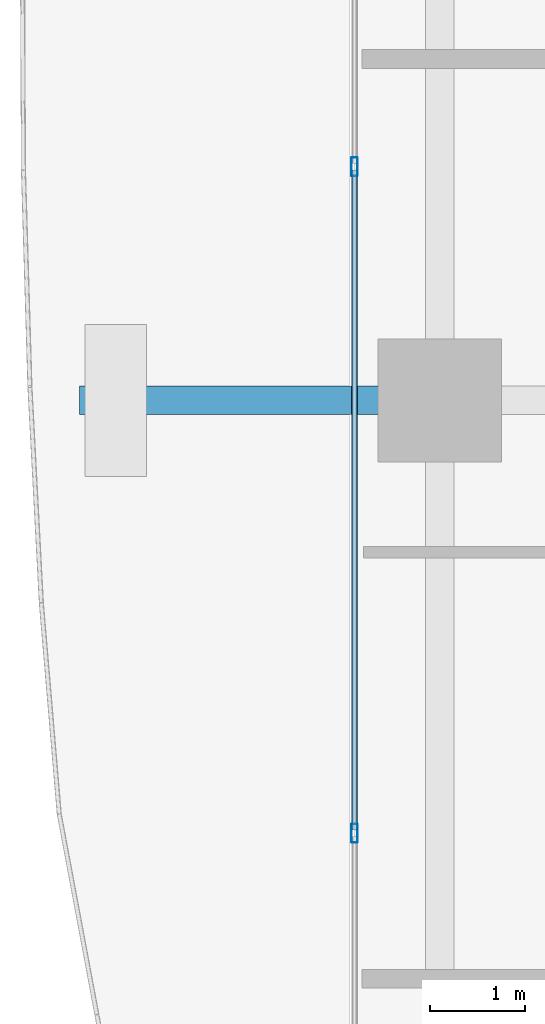
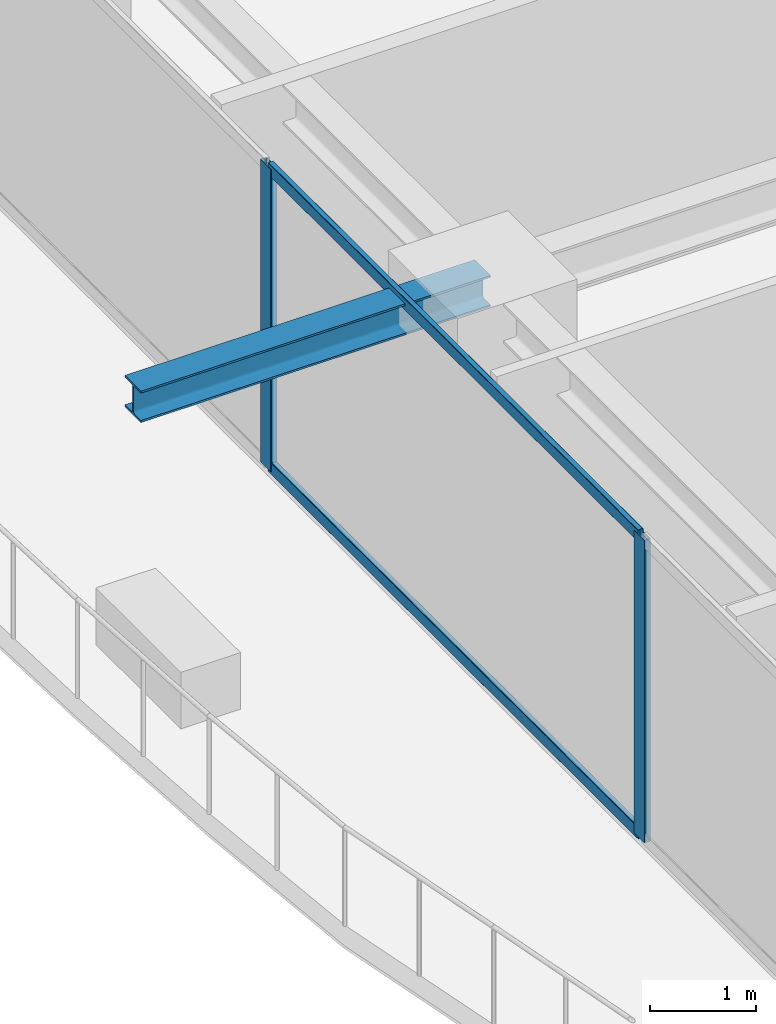
# One storey, part 8 of 37: 4 members, 1 beam, 1 element without a shape of its own.
"""IFC4 building model written with IfcOpenShell, lengths in metres."""

from ifc_helpers import new_model, si_unit, direction, frame, origin, origin_2d, place, context, subcontext, project, spatial, hollow_rectangle, i_section, extrude, source, transform, mapped, material, layer, layer_set, material_profile, profile_set, type_object, element, aggregate, save


model = new_model("IFC4")

# Units and contexts
model_context = context("Model", 3, precision=1e-05, world=origin(), true_north=direction((0.0, 1.0)))
body_context = subcontext(model_context, "Body", "Model", "MODEL_VIEW")
ifc_project = project(units=[si_unit("LENGTHUNIT", "METRE"), si_unit("AREAUNIT", "SQUARE_METRE"), si_unit("VOLUMEUNIT", "CUBIC_METRE"), si_unit("PLANEANGLEUNIT", "RADIAN"), si_unit("MASSUNIT", "GRAM", prefix="KILO")], contexts=[model_context])

# Site, building, storey
site_placement = place(None, origin())
site = spatial("IfcSite", under=ifc_project, at=site_placement, CompositionType="ELEMENT")
building_placement = place(site_placement, origin())
building = spatial("IfcBuilding", under=site, at=building_placement, Name="Serunith Strait Residences", CompositionType="ELEMENT")
storey_placement = place(building_placement, frame((0.0, 0.0, 153.89990234375)))
storey = spatial("IfcBuildingStorey", under=building, at=storey_placement, Name="L38", CompositionType="ELEMENT", Elevation=153.89990234375)

# Beam
ifc_material_1 = material(Name="Steel S355J2", Category="steel")
ifc_material_profile_1 = material_profile(ifc_material_1, i_section(OverallWidth=0.300048828125, OverallDepth=0.360107421875, WebThickness=0.012451171875, FlangeThickness=0.0224609375, FilletRadius=0.027099609375, at=origin_2d()), Name="HEB 360")
ifc_profile_set_1 = profile_set([ifc_material_profile_1], Name="Steel S355J2")
beam_type = type_object("IfcBeamType", Name="BM-HEB360", PredefinedType="BEAM", material=ifc_profile_set_1)
shared_shape_1 = source(origin(), body_context, "Body", "SweptSolid", [
    extrude(i_section(OverallWidth=0.300048828125, OverallDepth=0.360107421875, WebThickness=0.012451171875, FlangeThickness=0.0224609375, FilletRadius=0.027099609375, at=origin_2d()), origin(), (0.0, 0.0, 1.0), 3.800048828125),
])
beam_placement = place(storey_placement, frame((8.699951171875, 21.0, 3.277099609375), z_axis=(-1.0, 0.0, 0.0), x_axis=(0.0, -1.0, 0.0)))
element("IfcBeam", 1, at=beam_placement, inside=storey, type_object=beam_type, Name="L39 Cantilevered Balcony Rib TC-W2", PredefinedType="BEAM", context=body_context, shape_type="MappedRepresentation", body=[
    mapped(shared_shape_1, transform((0.0, 0.0, 0.0), scale=1.0)),
])

# Curtain wall, members
ifc_material_2 = material(Name="Pale-Champagne Anodised Aluminium", Category="aluminium")
ifc_layer = layer(ifc_material_2, 0.199951171875, Name="Pale-Champagne Anodised Aluminium")
ifc_layer_set = layer_set([ifc_layer], Name="Pale-Champagne Anodised Aluminium")
curtain_wall_type = type_object("IfcCurtainWallType", Name="CW-SYS2", PredefinedType="NOTDEFINED", material=ifc_layer_set)
curtain_wall_placement = place(storey_placement, origin())
curtain_wall = element("IfcCurtainWall", 2, at=curtain_wall_placement, inside=storey, type_object=curtain_wall_type, Name="L38 W Unitised Fritted Curtain Wall", PredefinedType="NOTDEFINED")
ifc_material_profile_2 = material_profile(ifc_material_2, hollow_rectangle(XDim=0.070068359375, YDim=0.199951171875, WallThickness=0.00390625, InnerFilletRadius=0.006103515625, OuterFilletRadius=0.010009765625, at=origin_2d()), Name="ALU 200x70x4")
ifc_profile_set_2 = profile_set([ifc_material_profile_2], Name="Pale-Champagne Anodised Aluminium")
member_type_1 = type_object("IfcMemberType", Name="CW-SYS2-MULL", PredefinedType="MULLION", material=ifc_profile_set_2)
shared_shape_2 = source(origin(), body_context, "Body", "SweptSolid", [
    extrude(hollow_rectangle(XDim=0.070068359375, YDim=0.199951171875, WallThickness=0.00390625, InnerFilletRadius=0.006103515625, OuterFilletRadius=0.010009765625, at=origin_2d()), origin(), (0.0, 0.0, 1.0), 3.47509765625),
])
member_1_placement = place(storey_placement, frame((7.800048828125, 23.466552734375, 0.0), z_axis=(0.0, 0.0, 1.0), x_axis=(1.0, 0.0, 0.0)))
member_1 = element("IfcMember", 3, at=member_1_placement, type_object=member_type_1, Name="CW-2 mullion 2", PredefinedType="MULLION", context=body_context, shape_type="MappedRepresentation", body=[
    mapped(shared_shape_2, transform((0.0, 0.0, 0.0), scale=1.0)),
])
member_2_placement = place(storey_placement, frame((7.800048828125, 16.433349609375, 0.0), z_axis=(0.0, 0.0, 1.0), x_axis=(1.0, 0.0, 0.0)))
member_2 = element("IfcMember", 4, at=member_2_placement, type_object=member_type_1, Name="CW-2 mullion 3", PredefinedType="MULLION", context=body_context, shape_type="MappedRepresentation", body=[
    mapped(shared_shape_2, transform((0.0, 0.0, 0.0), scale=1.0)),
])
ifc_material_profile_3 = material_profile(ifc_material_2, hollow_rectangle(XDim=0.06005859375, YDim=0.139892578125, WallThickness=0.00341796875, InnerFilletRadius=0.00537109375, OuterFilletRadius=0.0087890625, at=origin_2d()), Name="ALU 140x60x3.5")
ifc_profile_set_3 = profile_set([ifc_material_profile_3], Name="Pale-Champagne Anodised Aluminium")
member_type_2 = type_object("IfcMemberType", Name="CW-SYS2-TRAN", PredefinedType="USERDEFINED", material=ifc_profile_set_3)
shared_shape_3 = source(origin(), body_context, "Body", "SweptSolid", [
    extrude(hollow_rectangle(XDim=0.06005859375, YDim=0.139892578125, WallThickness=0.00341796875, InnerFilletRadius=0.00537109375, OuterFilletRadius=0.0087890625, at=origin_2d()), origin(), (0.0, 0.0, 1.0), 6.96337890625),
])
member_3_placement = place(storey_placement, frame((7.800048828125, 23.431640625, 0.030029296875), z_axis=(0.0, -1.0, 0.0), x_axis=(1.0, 0.0, 0.0)))
member_3 = element("IfcMember", 5, at=member_3_placement, type_object=member_type_2, Name="CW-2 transom 2.1", ObjectType="TRANSOM", PredefinedType="USERDEFINED", context=body_context, shape_type="MappedRepresentation", body=[
    mapped(shared_shape_3, transform((0.0, 0.0, 0.0), scale=1.0)),
])
member_4_placement = place(storey_placement, frame((7.800048828125, 23.431640625, 3.445068359375), z_axis=(0.0, -1.0, 0.0), x_axis=(1.0, 0.0, 0.0)))
member_4 = element("IfcMember", 6, at=member_4_placement, type_object=member_type_2, Name="CW-2 transom 2.2", ObjectType="TRANSOM", PredefinedType="USERDEFINED", context=body_context, shape_type="MappedRepresentation", body=[
    mapped(shared_shape_3, transform((0.0, 0.0, 0.0), scale=1.0)),
])
aggregate(curtain_wall, [member_1, member_2, member_3, member_4])

save(model, "model.ifc")
